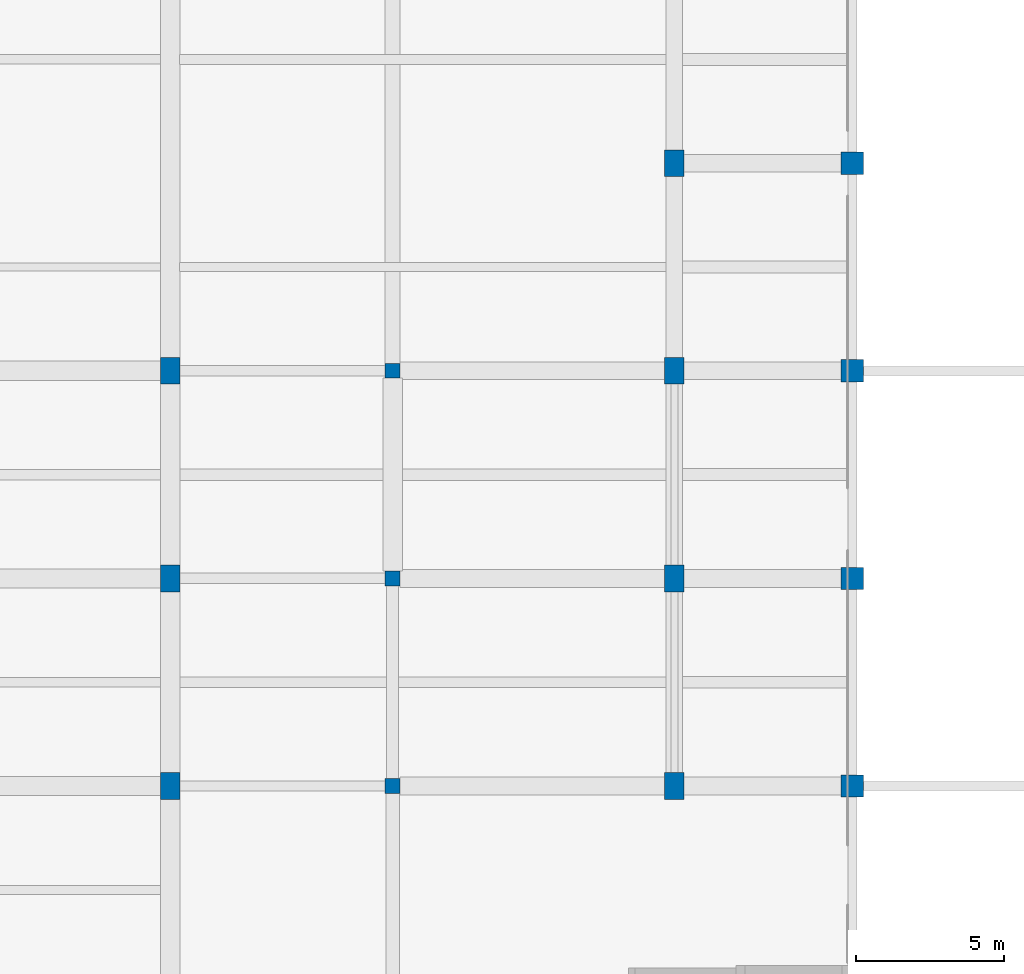
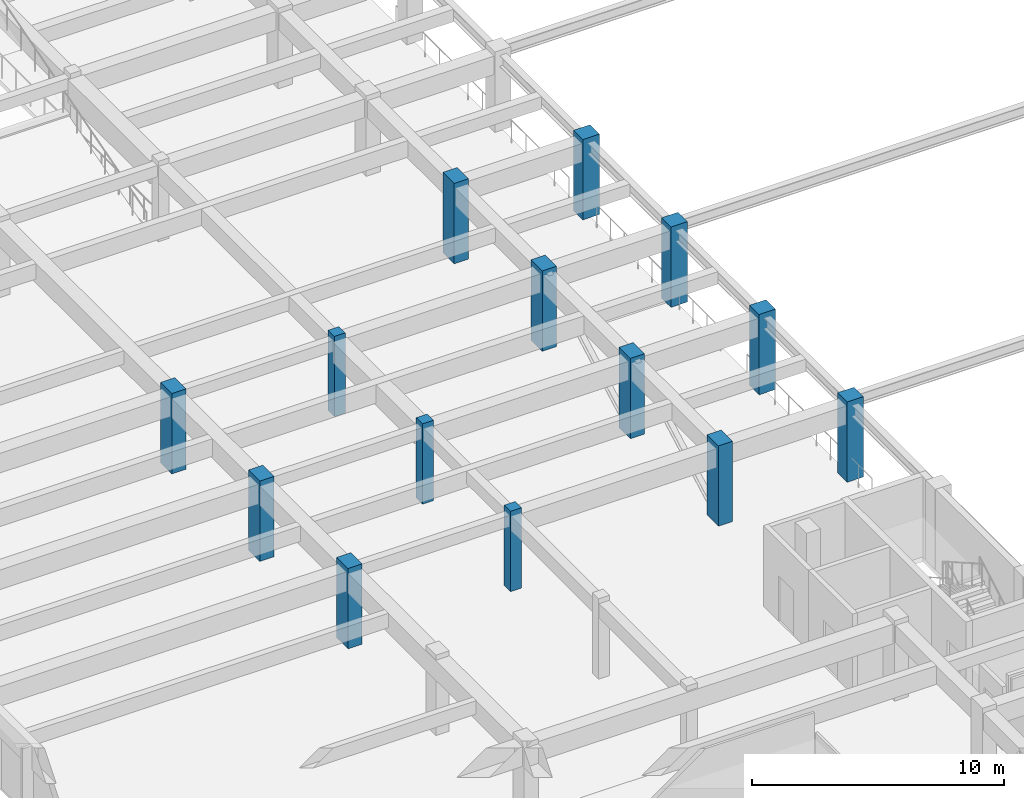
# One storey, part 6 of 98: 14 columns.
"""IFC4 building model written with IfcOpenShell, lengths in metres."""

from ifc_helpers import new_model, si_unit, direction, frame, origin, origin_2d, place, context, subcontext, project, spatial, rectangle, extrude, material, material_profile, profile_set, type_object, element, save


model = new_model("IFC4")

# Units and contexts
model_context = context("Model", 3, precision=1e-05, world=origin(), true_north=direction((0.0, 1.0)))
body_context = subcontext(model_context, "Body", "Model", "MODEL_VIEW")
ifc_project = project(units=[si_unit("LENGTHUNIT", "METRE"), si_unit("AREAUNIT", "SQUARE_METRE"), si_unit("VOLUMEUNIT", "CUBIC_METRE"), si_unit("PLANEANGLEUNIT", "RADIAN"), si_unit("MASSUNIT", "GRAM", prefix="KILO")], contexts=[model_context])

# Site, building, storey
site_placement = place(None, origin())
site = spatial("IfcSite", under=ifc_project, at=site_placement, CompositionType="ELEMENT")
building_placement = place(site_placement, origin())
building = spatial("IfcBuilding", under=site, at=building_placement, Name="Larkveld Mobility Hub", CompositionType="ELEMENT")
storey_placement = place(building_placement, frame((0.0, 0.0, 4.5)))
storey = spatial("IfcBuildingStorey", under=building, at=storey_placement, Name="L01", CompositionType="ELEMENT", Elevation=4.5)

# Columns
ifc_material_1 = material(Name="Precast concrete C50/60", Category="concrete")
ifc_material_profile_1 = material_profile(ifc_material_1, rectangle(XDim=0.64990234375, YDim=0.89990234375, at=origin_2d()), Name="RC COL 650x900")
ifc_profile_set_1 = profile_set([ifc_material_profile_1], Name="Precast concrete C50/60")
column_type_1 = type_object("IfcColumnType", Name="CL-PC6590", PredefinedType="COLUMN", material=ifc_profile_set_1)
for number, where, z_axis, x_axis, name in (
    (1, (129.0, 70.0, 0.0), (0.0, 0.0, 1.0), (1.0, 0.0, 0.0), "Column EV-X129-Y70 (L01)"),
    (2, (129.0, 77.0, 0.0), (0.0, 0.0, 1.0), (1.0, 0.0, 0.0), "Column EV-X129-Y77 (L01)"),
    (3, (129.0, 84.0, 0.0), (0.0, 0.0, 1.0), (1.0, 0.0, 0.0), "Column EV-X129-Y84 (L01)"),
    (4, (146.0, 70.0, 0.0), (0.0, 0.0, 1.0), (1.0, 0.0, 0.0), "Column EV-X146-Y70 (L01)"),
    (5, (146.0, 77.0, 0.0), (0.0, 0.0, 1.0), (1.0, 0.0, 0.0), "Column EV-X146-Y77 (L01)"),
    (6, (146.0, 84.0, 0.0), (0.0, 0.0, 1.0), (1.0, 0.0, 0.0), "Column EV-X146-Y84 (L01)"),
    (7, (146.0, 91.0, 0.0), (0.0, 0.0, 1.0), (1.0, 0.0, 0.0), "Column EV-X146-Y91 (L01)"),
):
    element("IfcColumn", number, at=place(storey_placement, frame(where, z_axis=z_axis, x_axis=x_axis)), inside=storey, type_object=column_type_1, Name=name, PredefinedType="COLUMN", context=body_context, shape_type="SweptSolid", body=[
        extrude(rectangle(XDim=0.64990234375, YDim=0.89990234375, at=origin_2d()), origin(), (0.0, 0.0, 1.0), 3.89990234375),
    ])
ifc_material_2 = material(Name="Concrete C40/50", Category="concrete")
ifc_material_profile_2 = material_profile(ifc_material_2, rectangle(XDim=0.5, YDim=0.5, at=origin_2d()), Name="RC COL 500x500")
ifc_profile_set_2 = profile_set([ifc_material_profile_2], Name="Concrete C40/50")
column_type_2 = type_object("IfcColumnType", Name="CL-RC500", PredefinedType="COLUMN", material=ifc_profile_set_2)
for number, where, z_axis, x_axis, name in (
    (8, (136.5, 70.0, 0.0), (0.0, 0.0, 1.0), (1.0, 0.0, 0.0), "Column EVRMP-X1365-Y70 (L01)"),
    (9, (136.5, 77.0, 0.0), (0.0, 0.0, 1.0), (1.0, 0.0, 0.0), "Column EVRMP-X1365-Y77 (L01)"),
    (10, (136.5, 84.0, 0.0), (0.0, 0.0, 1.0), (1.0, 0.0, 0.0), "Column EVRMP-X1365-Y84 (L01)"),
):
    element("IfcColumn", number, at=place(storey_placement, frame(where, z_axis=z_axis, x_axis=x_axis)), inside=storey, type_object=column_type_2, Name=name, PredefinedType="COLUMN", context=body_context, shape_type="SweptSolid", body=[
        extrude(rectangle(XDim=0.5, YDim=0.5, at=origin_2d()), origin(), (0.0, 0.0, 1.0), 3.89990234375),
    ])
ifc_material_profile_3 = material_profile(ifc_material_2, rectangle(XDim=0.75, YDim=0.75, at=origin_2d()), Name="RC COL 750x750")
ifc_profile_set_3 = profile_set([ifc_material_profile_3], Name="Concrete C40/50")
column_type_3 = type_object("IfcColumnType", Name="CL-RC750", PredefinedType="COLUMN", material=ifc_profile_set_3)
for number, where, z_axis, x_axis, name in (
    (11, (152.0, 70.0, 0.0), (0.0, 0.0, 1.0), (1.0, 0.0, 0.0), "Column EV-X152-Y70 (L01)"),
    (12, (152.0, 77.0, 0.0), (0.0, 0.0, 1.0), (1.0, 0.0, 0.0), "Column EV-X152-Y77 (L01)"),
    (13, (152.0, 84.0, 0.0), (0.0, 0.0, 1.0), (1.0, 0.0, 0.0), "Column EV-X152-Y84 (L01)"),
    (14, (152.0, 91.0, 0.0), (0.0, 0.0, 1.0), (1.0, 0.0, 0.0), "Column EV-X152-Y91 (L01)"),
):
    element("IfcColumn", number, at=place(storey_placement, frame(where, z_axis=z_axis, x_axis=x_axis)), inside=storey, type_object=column_type_3, Name=name, PredefinedType="COLUMN", context=body_context, shape_type="SweptSolid", body=[
        extrude(rectangle(XDim=0.75, YDim=0.75, at=origin_2d()), origin(), (0.0, 0.0, 1.0), 3.89990234375),
    ])

save(model, "model.ifc")
